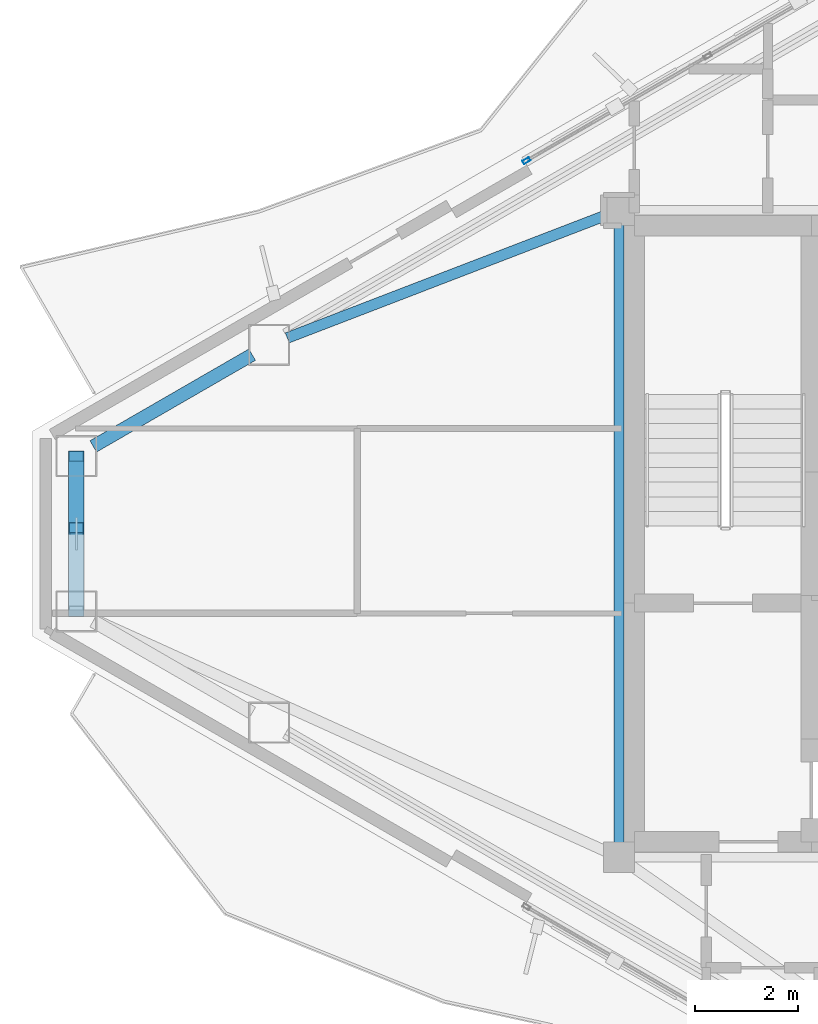
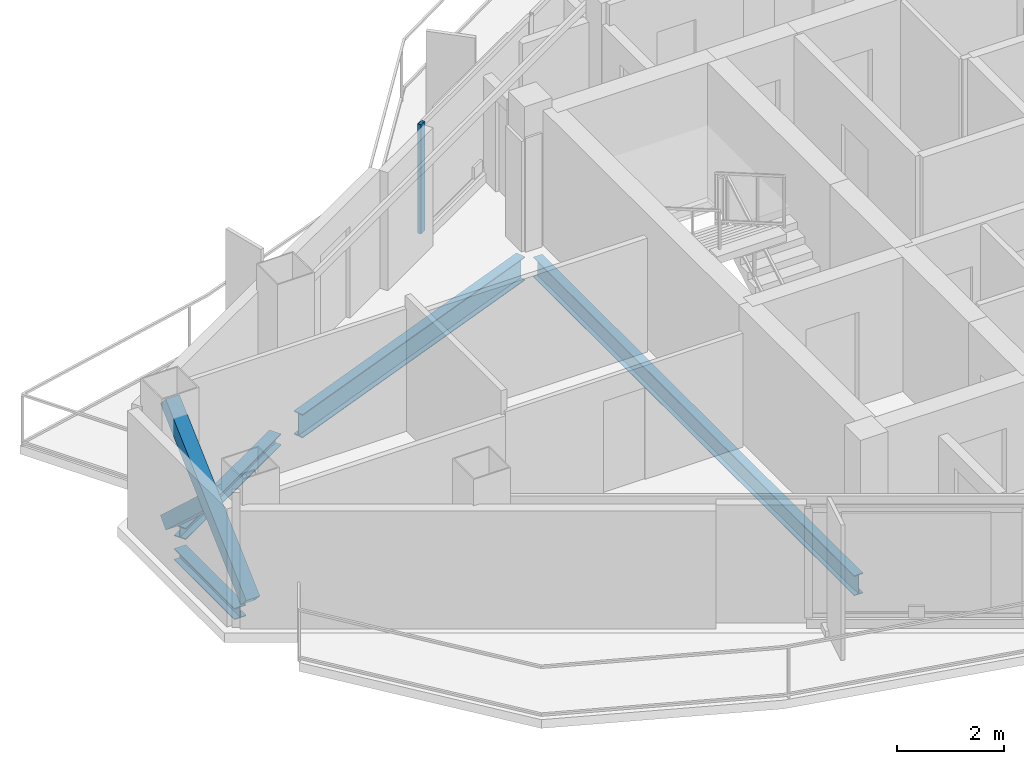
# One storey, part 8 of 18: 4 beams, 3 members, 1 element without a shape of its own.
"""IFC4 building model written with IfcOpenShell, lengths in metres."""

from ifc_helpers import new_model, si_unit, direction, frame, origin, origin_2d, place, context, subcontext, project, spatial, hollow_rectangle, i_section, extrude, material, layer, layer_set, material_profile, profile_set, type_object, element, aggregate, save


model = new_model("IFC4")

# Units and contexts
model_context = context("Model", 3, precision=1e-05, world=origin(), true_north=direction((0.0, 1.0)))
body_context = subcontext(model_context, "Body", "Model", "MODEL_VIEW")
ifc_project = project(units=[si_unit("LENGTHUNIT", "METRE"), si_unit("AREAUNIT", "SQUARE_METRE"), si_unit("VOLUMEUNIT", "CUBIC_METRE"), si_unit("PLANEANGLEUNIT", "RADIAN"), si_unit("MASSUNIT", "GRAM", prefix="KILO")], contexts=[model_context])

# Site, building, storey
site_placement = place(None, origin())
site = spatial("IfcSite", under=ifc_project, at=site_placement, CompositionType="ELEMENT")
building_placement = place(site_placement, origin())
building = spatial("IfcBuilding", under=site, at=building_placement, Name="Mersakhor Tower and Convention Hall", CompositionType="ELEMENT")
storey_placement = place(building_placement, frame((0.0, 0.0, 236.39990234375)))
storey = spatial("IfcBuildingStorey", under=building, at=storey_placement, Name="L66", CompositionType="ELEMENT", Elevation=236.39990234375)

# Beams
ifc_material_1 = material(Name="Steel S355", Category="steel")
ifc_material_profile_1 = material_profile(ifc_material_1, i_section(OverallWidth=0.19140625, OverallDepth=0.4599609375, WebThickness=0.010009765625, FlangeThickness=0.01611328125, at=origin_2d()), Name="UB 457x191x82")
ifc_profile_set_1 = profile_set([ifc_material_profile_1], Name="Steel S355")
beam_type_1 = type_object("IfcBeamType", Name="BM-FB-457", PredefinedType="BEAM", material=ifc_profile_set_1)
beam_1_placement = place(storey_placement, frame((21.89990234375, 20.72998046875, -0.449951171875), z_axis=(0.0, 1.0, 0.0), x_axis=(-1.0, 0.0, 0.0)))
element("IfcBeam", 1, at=beam_1_placement, inside=storey, type_object=beam_type_1, Name="L66 Core Ring Tie Beam CRB-1", PredefinedType="BEAM", context=body_context, shape_type="SweptSolid", body=[
    extrude(i_section(OverallWidth=0.19140625, OverallDepth=0.4599609375, WebThickness=0.010009765625, FlangeThickness=0.01611328125, at=origin_2d()), origin(), (0.0, 0.0, 1.0), 12.0400390625),
])
ifc_material_2 = material(Name="Steel S355", Category="steel")
ifc_material_profile_2 = material_profile(ifc_material_2, i_section(OverallWidth=0.2099609375, OverallDepth=0.53662109375, WebThickness=0.0107421875, FlangeThickness=0.017333984375, at=origin_2d()), Name="UB 533x210x101")
ifc_profile_set_2 = profile_set([ifc_material_profile_2], Name="Steel S355")
beam_type_2 = type_object("IfcBeamType", Name="BM-FB-533", PredefinedType="BEAM", material=ifc_profile_set_2)
beam_2_placement = place(storey_placement, frame((21.638671875, 32.949462890625, -0.48828125), z_axis=(-0.933316231297, -0.359055444741, 0.0), x_axis=(0.359055444741, -0.933316231297, 0.0)))
element("IfcBeam", 2, at=beam_2_placement, inside=storey, type_object=beam_type_2, Name="L66 Primary Floor Girder FG-1", PredefinedType="BEAM", context=body_context, shape_type="SweptSolid", body=[
    extrude(i_section(OverallWidth=0.2099609375, OverallDepth=0.53662109375, WebThickness=0.0107421875, FlangeThickness=0.017333984375, at=origin_2d()), origin(), (0.0, 0.0, 1.0), 6.64111328125),
])
ifc_material_3 = material(Name="Steel S355", Category="steel")
ifc_material_profile_3 = material_profile(ifc_material_3, i_section(OverallWidth=0.25634765625, OverallDepth=0.26025390625, WebThickness=0.01025390625, FlangeThickness=0.017333984375, at=origin_2d()), Name="UC 254x254x89")
ifc_profile_set_3 = profile_set([ifc_material_profile_3], Name="Steel S355")
beam_type_3 = type_object("IfcBeamType", Name="BM-SPD-UC254", PredefinedType="SPANDREL", material=ifc_profile_set_3)
beam_3_placement = place(storey_placement, frame((11.6611328125, 28.451416015625, -0.35009765625), z_axis=(0.866032030752, 0.499988521579, 0.0), x_axis=(-0.499988521579, 0.866032030752, 0.0)))
element("IfcBeam", 3, at=beam_3_placement, inside=storey, type_object=beam_type_3, Name="L66 Perimeter Spandrel Beam SPB-01", PredefinedType="SPANDREL", context=body_context, shape_type="SweptSolid", body=[
    extrude(i_section(OverallWidth=0.25634765625, OverallDepth=0.26025390625, WebThickness=0.01025390625, FlangeThickness=0.017333984375, at=origin_2d()), origin(), (0.0, 0.0, 1.0), 3.57421875),
])
beam_4_placement = place(storey_placement, frame((11.33203125, 25.61865234375, -0.35009765625), z_axis=(0.0, 1.0, 0.0), x_axis=(-1.0, 0.0, 0.0)))
element("IfcBeam", 4, at=beam_4_placement, inside=storey, type_object=beam_type_3, Name="L66 Perimeter Spandrel Beam SPB-12", PredefinedType="SPANDREL", context=body_context, shape_type="SweptSolid", body=[
    extrude(i_section(OverallWidth=0.25634765625, OverallDepth=0.26025390625, WebThickness=0.01025390625, FlangeThickness=0.017333984375, at=origin_2d()), origin(), (0.0, 0.0, 1.0), 2.2626953125),
])

# Curtain wall, member
ifc_material_4 = material(Name="Dark solar low-E aluminium curtain wall", Category="aluminium")
ifc_layer = layer(ifc_material_4, 0.179931640625)
ifc_layer_set = layer_set([ifc_layer], Name="Dark solar low-E aluminium curtain wall")
curtain_wall_type = type_object("IfcCurtainWallType", Name="CW-SYS-03", PredefinedType="USERDEFINED", material=ifc_layer_set)
curtain_wall_placement = place(storey_placement, origin())
curtain_wall = element("IfcCurtainWall", 5, at=curtain_wall_placement, inside=storey, type_object=curtain_wall_type, Name="L66 Dark-Glass Curtain Wall F1-B2", ObjectType="CURTAIN WALL", PredefinedType="USERDEFINED")
ifc_material_5 = material(Name="Anodised aluminium EN AW-6063 T6", Category="aluminium")
ifc_material_profile_4 = material_profile(ifc_material_5, hollow_rectangle(XDim=0.074951171875, YDim=0.14990234375, WallThickness=0.00634765625, at=origin_2d()), Name="RHS 150x75x6.3")
ifc_profile_set_4 = profile_set([ifc_material_profile_4], Name="Anodised aluminium EN AW-6063 T6")
member_type_1 = type_object("IfcMemberType", Name="CWM-150x75", PredefinedType="MULLION", material=ifc_profile_set_4)
member_1_placement = place(storey_placement, frame((20.098388671875, 34.015380859375, 0.2001953125), z_axis=(0.0, 0.0, 1.0), x_axis=(-0.500004411169, 0.86602285698, 0.0)))
member_1 = element("IfcMember", 6, at=member_1_placement, type_object=member_type_1, Name="CW-03 mullion 1", PredefinedType="MULLION", context=body_context, shape_type="SweptSolid", body=[
    extrude(hollow_rectangle(XDim=0.074951171875, YDim=0.14990234375, WallThickness=0.00634765625, at=origin_2d()), origin(), (0.0, 0.0, 1.0), 2.5),
])
aggregate(curtain_wall, [member_1])

# Members
ifc_material_6 = material(Name="Steel S355", Category="steel")
ifc_material_profile_5 = material_profile(ifc_material_6, hollow_rectangle(XDim=0.300048828125, YDim=0.300048828125, WallThickness=0.01611328125, at=origin_2d()), Name="SHS 300x300x16")
ifc_profile_set_5 = profile_set([ifc_material_profile_5], Name="Steel S355")
member_type_2 = type_object("IfcMemberType", Name="MB-BRC-SHS300", PredefinedType="BRACE", material=ifc_profile_set_5)
member_2_placement = place(storey_placement, frame((11.33203125, 25.23876953125, 0.150146484375), z_axis=(0.0, 0.736008025896, 0.676972810249), x_axis=(-1.0, 0.0, 0.0)))
element("IfcMember", 7, at=member_2_placement, inside=storey, type_object=member_type_2, Name="L66 Chamfer Braced Frame Diagonal CB-3A", PredefinedType="BRACE", context=body_context, shape_type="SweptSolid", body=[
    extrude(hollow_rectangle(XDim=0.300048828125, YDim=0.300048828125, WallThickness=0.01611328125, at=origin_2d()), origin(), (0.0, 0.0, 1.0), 4.1064453125),
])
member_3_placement = place(storey_placement, frame((11.33203125, 28.26123046875, 0.150146484375), z_axis=(0.0, -0.735997778537, 0.676983951057), x_axis=(1.0, 0.0, 0.0)))
element("IfcMember", 8, at=member_3_placement, inside=storey, type_object=member_type_2, Name="L66 Chamfer Braced Frame Diagonal CB-3B Lower Half", PredefinedType="BRACE", context=body_context, shape_type="SweptSolid", body=[
    extrude(hollow_rectangle(XDim=0.300048828125, YDim=0.300048828125, WallThickness=0.01611328125, at=origin_2d()), origin(), (0.0, 0.0, 1.0), 1.894775390625),
])

save(model, "model.ifc")
